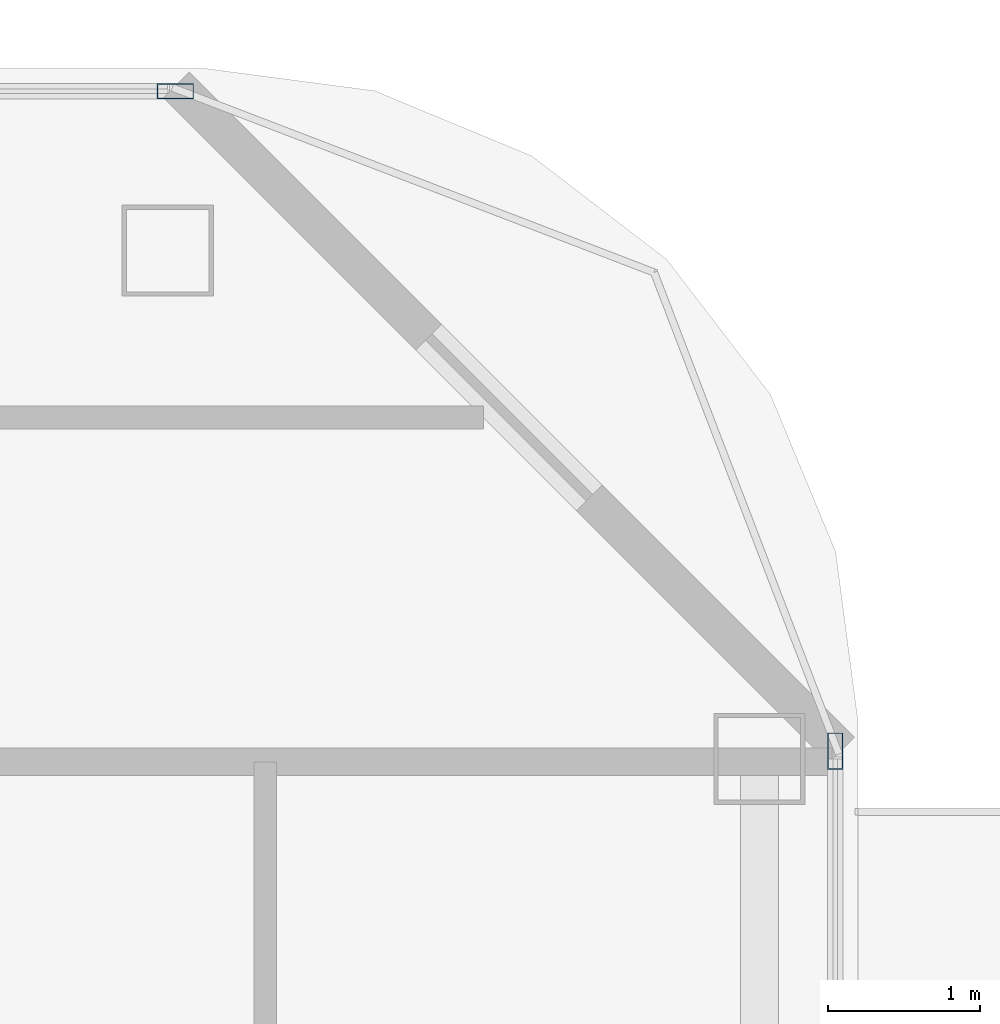
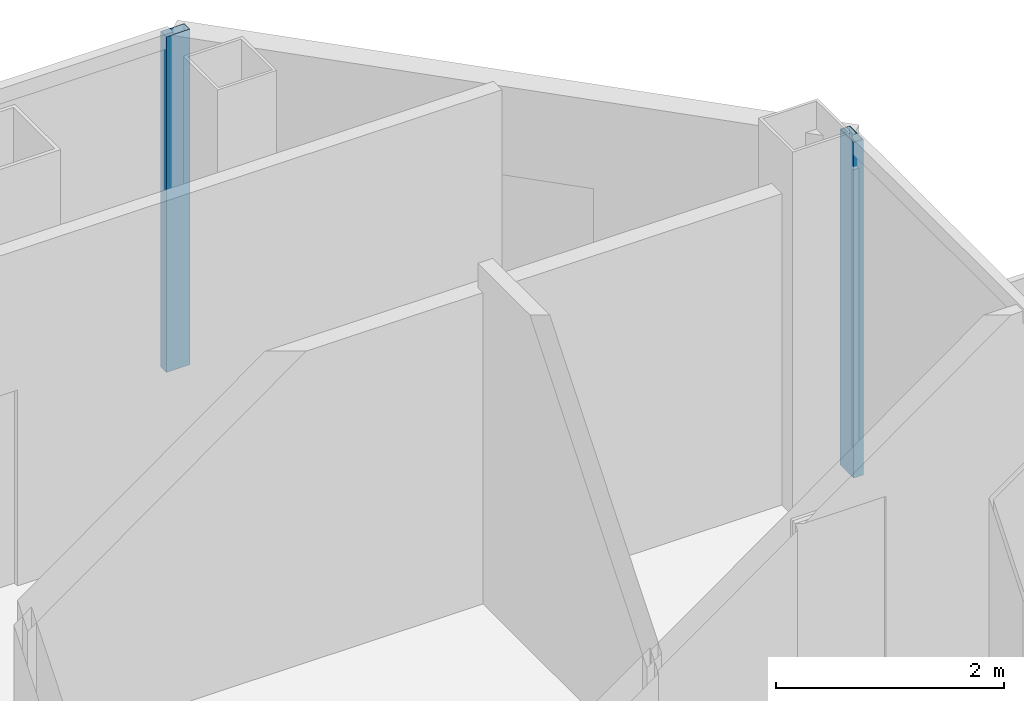
# One storey, part 18 of 27: 2 members, 2 elements without a shape of their own.
"""IFC4 building model written with IfcOpenShell, lengths in metres."""

from ifc_helpers import new_model, si_unit, direction, frame, origin, origin_2d, place, context, subcontext, project, spatial, hollow_rectangle, extrude, material, layer, layer_set, material_profile, profile_set, type_object, element, aggregate, save


model = new_model("IFC4")

# Units and contexts
model_context = context("Model", 3, precision=1e-05, world=origin(), true_north=direction((0.0, 1.0)))
body_context = subcontext(model_context, "Body", "Model", "MODEL_VIEW")
ifc_project = project(units=[si_unit("LENGTHUNIT", "METRE"), si_unit("AREAUNIT", "SQUARE_METRE"), si_unit("VOLUMEUNIT", "CUBIC_METRE"), si_unit("PLANEANGLEUNIT", "RADIAN"), si_unit("MASSUNIT", "GRAM", prefix="KILO")], contexts=[model_context])

# Site, building, storey
site_placement = place(None, origin())
site = spatial("IfcSite", under=ifc_project, at=site_placement, CompositionType="ELEMENT")
building_placement = place(site_placement, origin())
building = spatial("IfcBuilding", under=site, at=building_placement, Name="Khorvyn Point Tower", CompositionType="ELEMENT")
storey_placement = place(building_placement, frame((0.0, 0.0, 231.300048828125)))
storey = spatial("IfcBuildingStorey", under=building, at=storey_placement, Name="L57", CompositionType="ELEMENT", Elevation=231.300048828125)

# Curtain wall, member
ifc_material_1 = material(Name="Anodised aluminium 6063-T6 and laminated Low-E glass", Category="aluminium")
ifc_layer = layer(ifc_material_1, 0.18994140625)
ifc_layer_set = layer_set([ifc_layer], Name="Stick-Built Acoustic Curtain Wall CW-SYS-03")
curtain_wall_type = type_object("IfcCurtainWallType", Name="Stick-Built Acoustic Curtain Wall CW-SYS-03", PredefinedType="NOTDEFINED", material=ifc_layer_set)
curtain_wall_1_placement = place(storey_placement, origin())
curtain_wall_1 = element("IfcCurtainWall", 1, at=curtain_wall_1_placement, inside=storey, type_object=curtain_wall_type, Name="Curtain Wall", PredefinedType="NOTDEFINED")
ifc_material_2 = material(Name="Anodised aluminium 6063-T6", Category="aluminium")
ifc_material_profile = material_profile(ifc_material_2, hollow_rectangle(XDim=0.10009765625, YDim=0.239990234375, WallThickness=0.0048828125, at=origin_2d()))
ifc_profile_set = profile_set([ifc_material_profile], Name="Anodised aluminium 6063-T6 ALU-MUL-100x240")
member_type = type_object("IfcMemberType", Name="Anodised Aluminium 6063-T6 Mullion ALU-MUL-100x240", PredefinedType="MULLION", material=ifc_profile_set)
member_1_placement = place(storey_placement, frame((21.800048828125, 15.85009765625, 0.0), z_axis=(0.0, 0.0, 1.0), x_axis=(0.0, 1.0, 0.0)))
member_1 = element("IfcMember", 2, at=member_1_placement, type_object=member_type, Name="Transom", PredefinedType="MULLION", context=body_context, shape_type="SweptSolid", body=[
    extrude(hollow_rectangle(XDim=0.10009765625, YDim=0.239990234375, WallThickness=0.0048828125, at=origin_2d()), origin(), (0.0, 0.0, 1.0), 3.599853515625),
])
aggregate(curtain_wall_1, [member_1])

curtain_wall_2_placement = place(storey_placement, origin())
curtain_wall_2 = element("IfcCurtainWall", 3, at=curtain_wall_2_placement, inside=storey, type_object=curtain_wall_type, Name="Curtain Wall", PredefinedType="NOTDEFINED")
member_2_placement = place(storey_placement, frame((26.14990234375, 11.5, 0.0), z_axis=(0.0, 0.0, 1.0), x_axis=(1.0, 0.0, 0.0)))
member_2 = element("IfcMember", 4, at=member_2_placement, type_object=member_type, Name="Transom", PredefinedType="MULLION", context=body_context, shape_type="SweptSolid", body=[
    extrude(hollow_rectangle(XDim=0.10009765625, YDim=0.239990234375, WallThickness=0.0048828125, at=origin_2d()), origin(), (0.0, 0.0, 1.0), 3.599853515625),
])
aggregate(curtain_wall_2, [member_2])

save(model, "model.ifc")
